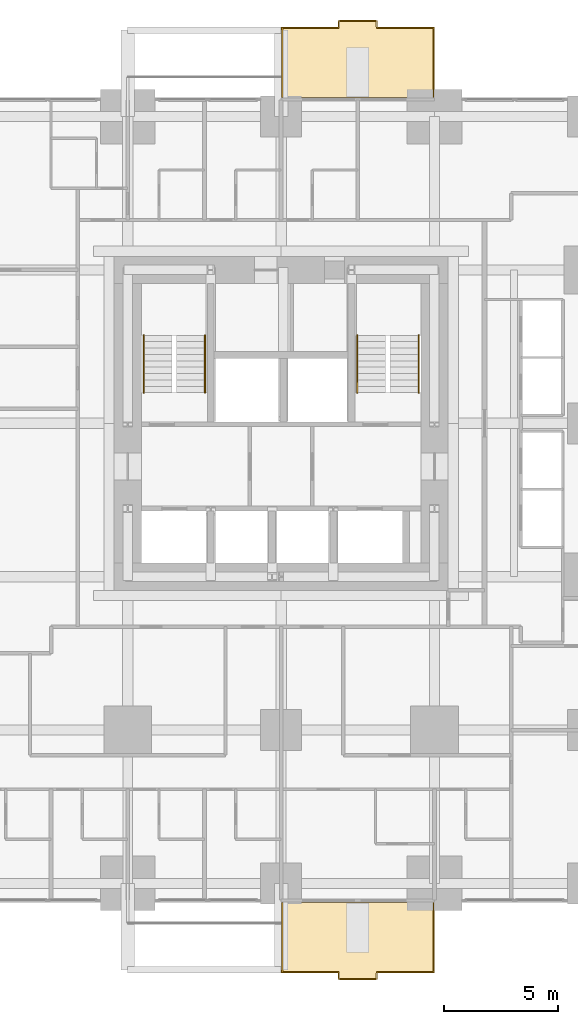
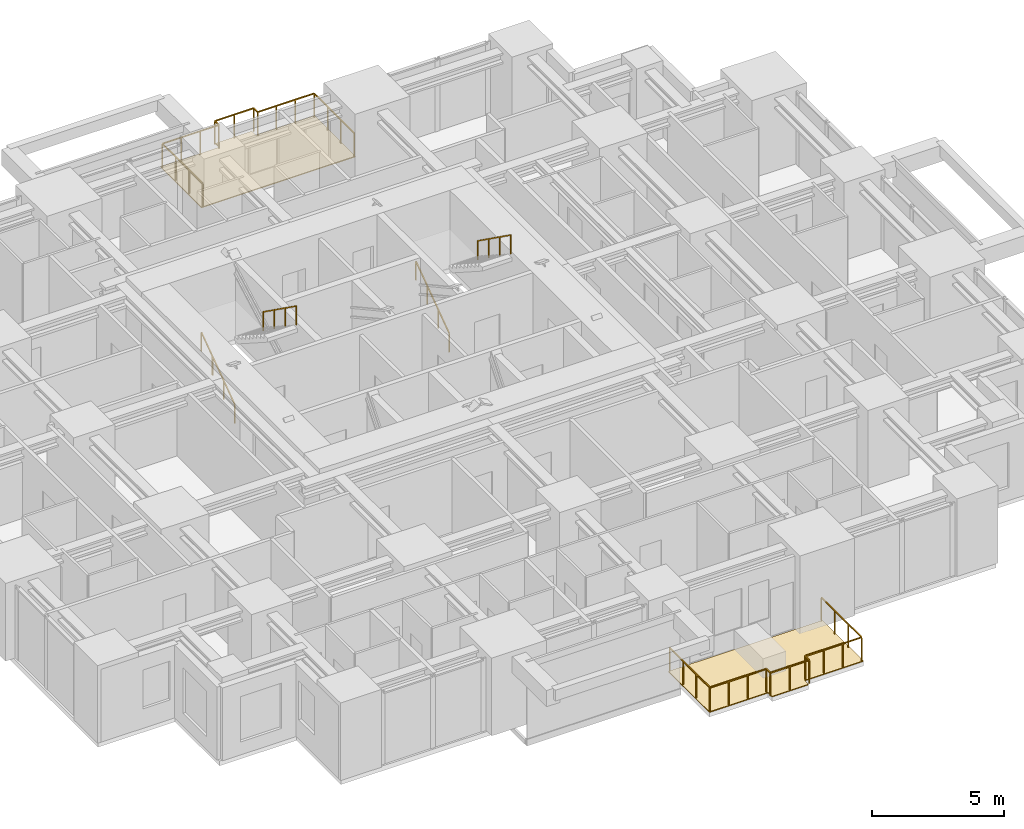
# One storey, part 13 of 13: 6 railings, 2 coverings.
"""IFC4 building model written with IfcOpenShell, lengths in metres."""

from ifc_helpers import new_model, si_unit, direction, frame, origin, origin_2d, place, context, subcontext, project, spatial, polyline, rectangle, outline, extrude, material, layer, layer_set, type_object, element, save


model = new_model("IFC4")

# Units and contexts
model_context = context("Model", 3, precision=1e-05, world=origin(), true_north=direction((0.0, 1.0)))
body_context = subcontext(model_context, "Body", "Model", "MODEL_VIEW")
ifc_project = project(units=[si_unit("LENGTHUNIT", "METRE"), si_unit("AREAUNIT", "SQUARE_METRE"), si_unit("VOLUMEUNIT", "CUBIC_METRE"), si_unit("PLANEANGLEUNIT", "RADIAN"), si_unit("MASSUNIT", "GRAM", prefix="KILO")], contexts=[model_context])

# Site, building, storey
site_placement = place(None, origin())
site = spatial("IfcSite", under=ifc_project, at=site_placement, CompositionType="ELEMENT")
building_placement = place(site_placement, origin())
building = spatial("IfcBuilding", under=site, at=building_placement, Name="Nyansa Garden Tower", CompositionType="ELEMENT")
storey_placement = place(building_placement, frame((0.0, 0.0, 83.699951171875)))
storey = spatial("IfcBuildingStorey", under=building, at=storey_placement, Name="L22", CompositionType="ELEMENT", Elevation=83.699951171875)

# Coverings
ifc_material_1 = material(Name="Hardwood decking on pedestals", Category="wood")
ifc_layer = layer(ifc_material_1, 0.0400390625)
ifc_layer_set = layer_set([ifc_layer], Name="Balcony decking DK40")
covering_type = type_object("IfcCoveringType", Name="Balcony decking DK40", PredefinedType="FLOORING", material=ifc_layer_set)
covering_1_placement = place(storey_placement, frame((0.0, 0.0, -0.0400390625)))
element("IfcCovering", 1, at=covering_1_placement, inside=storey, type_object=covering_type, Name="Balcony decking L22", PredefinedType="FLOORING", context=body_context, shape_type="SweptSolid", body=[
    extrude(outline(polyline([(20.25, -0.85009765625), (27.0, -0.85009765625), (27.0, -3.949951171875), (24.425048828125, -3.949951171875), (24.425048828125, -4.25), (22.824951171875, -4.25), (22.824951171875, -3.949951171875), (20.25, -3.949951171875), (20.25, -0.85009765625)])), origin(), (0.0, 0.0, 1.0), 0.0400390625),
])
covering_2_placement = place(storey_placement, frame((0.0, 0.0, -0.0400390625)))
element("IfcCovering", 2, at=covering_2_placement, inside=storey, type_object=covering_type, Name="Balcony decking L22", PredefinedType="FLOORING", context=body_context, shape_type="SweptSolid", body=[
    extrude(outline(polyline([(20.25, 34.60009765625), (27.0, 34.60009765625), (27.0, 37.699951171875), (24.425048828125, 37.699951171875), (24.425048828125, 38.0), (22.824951171875, 38.0), (22.824951171875, 37.699951171875), (20.25, 37.699951171875), (20.25, 34.60009765625)])), origin(), (0.0, 0.0, 1.0), 0.0400390625),
])

# Railings
ifc_material_2 = material(Name="Black powder-coated steel balusters, laminated glass infill", Category="steel")
railing_type_1 = type_object("IfcRailingType", Name="Balcony guard G1", PredefinedType="GUARDRAIL", material=ifc_material_2)
railing_1_placement = place(storey_placement, frame((20.300048828125, -0.85009765625, 0.0)))
element("IfcRailing", 3, at=railing_1_placement, inside=storey, type_object=railing_type_1, Name="Balcony guard L22", PredefinedType="GUARDRAIL", context=body_context, shape_type="SweptSolid", body=[
    extrude(rectangle(XDim=0.048095703125, YDim=0.048095703125, at=origin_2d()), frame((0.0, 0.0, 1.076171875), z_axis=(0.0, -1.0, 0.0), x_axis=(1.0, 0.0, 0.0)), (0.0, 0.0, 1.0), 3.0498046875),
    extrude(rectangle(XDim=0.048095703125, YDim=0.048095703125, at=origin_2d()), frame((0.0, -3.0498046875, 1.076171875), z_axis=(1.0, 0.0, 0.0), x_axis=(0.0, 1.0, 0.0)), (0.0, 0.0, 1.0), 2.474853515625),
    extrude(rectangle(XDim=0.048095703125, YDim=0.048095703125, at=origin_2d()), frame((2.474853515625, -3.0498046875, 1.076171875), z_axis=(0.0, -1.0, 0.0), x_axis=(1.0, 0.0, 0.0)), (0.0, 0.0, 1.0), 0.300048828125),
    extrude(rectangle(XDim=0.048095703125, YDim=0.048095703125, at=origin_2d()), frame((2.474853515625, -3.349853515625, 1.076171875), z_axis=(1.0, 0.0, 0.0), x_axis=(0.0, 1.0, 0.0)), (0.0, 0.0, 1.0), 1.7001953125),
    extrude(rectangle(XDim=0.048095703125, YDim=0.048095703125, at=origin_2d()), frame((4.175048828125, -3.349853515625, 1.076171875), z_axis=(0.0, 1.0, 0.0), x_axis=(-1.0, 0.0, 0.0)), (0.0, 0.0, 1.0), 0.300048828125),
    extrude(rectangle(XDim=0.048095703125, YDim=0.048095703125, at=origin_2d()), frame((4.175048828125, -3.0498046875, 1.076171875), z_axis=(1.0, 0.0, 0.0), x_axis=(0.0, 1.0, 0.0)), (0.0, 0.0, 1.0), 2.474853515625),
    extrude(rectangle(XDim=0.048095703125, YDim=0.048095703125, at=origin_2d()), frame((6.64990234375, -3.0498046875, 1.076171875), z_axis=(0.0, 1.0, 0.0), x_axis=(-1.0, 0.0, 0.0)), (0.0, 0.0, 1.0), 3.0498046875),
    extrude(rectangle(XDim=0.0419921875, YDim=0.0419921875, at=origin_2d()), origin(), (0.0, 0.0, 1.0), 1.052001953125),
    extrude(rectangle(XDim=0.0419921875, YDim=0.0419921875, at=origin_2d()), frame((0.0, -1.0166015625, 0.0)), (0.0, 0.0, 1.0), 1.052001953125),
    extrude(rectangle(XDim=0.0419921875, YDim=0.0419921875, at=origin_2d()), frame((0.0, -2.033203125, 0.0)), (0.0, 0.0, 1.0), 1.052001953125),
    extrude(rectangle(XDim=0.0419921875, YDim=0.0419921875, at=origin_2d()), frame((0.0, -3.0498046875, 0.0)), (0.0, 0.0, 1.0), 1.052001953125),
    extrude(rectangle(XDim=0.0419921875, YDim=0.0419921875, at=origin_2d()), frame((0.824951171875, -3.0498046875, 0.0)), (0.0, 0.0, 1.0), 1.052001953125),
    extrude(rectangle(XDim=0.0419921875, YDim=0.0419921875, at=origin_2d()), frame((1.64990234375, -3.0498046875, 0.0)), (0.0, 0.0, 1.0), 1.052001953125),
    extrude(rectangle(XDim=0.0419921875, YDim=0.0419921875, at=origin_2d()), frame((2.474853515625, -3.0498046875, 0.0)), (0.0, 0.0, 1.0), 1.052001953125),
    extrude(rectangle(XDim=0.0419921875, YDim=0.0419921875, at=origin_2d()), frame((2.474853515625, -3.349853515625, 0.0)), (0.0, 0.0, 1.0), 1.052001953125),
    extrude(rectangle(XDim=0.0419921875, YDim=0.0419921875, at=origin_2d()), frame((3.324951171875, -3.349853515625, 0.0)), (0.0, 0.0, 1.0), 1.052001953125),
    extrude(rectangle(XDim=0.0419921875, YDim=0.0419921875, at=origin_2d()), frame((4.175048828125, -3.349853515625, 0.0)), (0.0, 0.0, 1.0), 1.052001953125),
    extrude(rectangle(XDim=0.0419921875, YDim=0.0419921875, at=origin_2d()), frame((4.175048828125, -3.0498046875, 0.0)), (0.0, 0.0, 1.0), 1.052001953125),
    extrude(rectangle(XDim=0.0419921875, YDim=0.0419921875, at=origin_2d()), frame((5.0, -3.0498046875, 0.0)), (0.0, 0.0, 1.0), 1.052001953125),
    extrude(rectangle(XDim=0.0419921875, YDim=0.0419921875, at=origin_2d()), frame((5.824951171875, -3.0498046875, 0.0)), (0.0, 0.0, 1.0), 1.052001953125),
    extrude(rectangle(XDim=0.0419921875, YDim=0.0419921875, at=origin_2d()), frame((6.64990234375, -3.0498046875, 0.0)), (0.0, 0.0, 1.0), 1.052001953125),
    extrude(rectangle(XDim=0.0419921875, YDim=0.0419921875, at=origin_2d()), frame((6.64990234375, -2.033203125, 0.0)), (0.0, 0.0, 1.0), 1.052001953125),
    extrude(rectangle(XDim=0.0419921875, YDim=0.0419921875, at=origin_2d()), frame((6.64990234375, -1.0166015625, 0.0)), (0.0, 0.0, 1.0), 1.052001953125),
    extrude(rectangle(XDim=0.0419921875, YDim=0.0419921875, at=origin_2d()), frame((6.64990234375, 0.0, 0.0)), (0.0, 0.0, 1.0), 1.052001953125),
])
railing_2_placement = place(storey_placement, frame((20.300048828125, 34.60009765625, 0.0)))
element("IfcRailing", 4, at=railing_2_placement, inside=storey, type_object=railing_type_1, Name="Balcony guard L22", PredefinedType="GUARDRAIL", context=body_context, shape_type="SweptSolid", body=[
    extrude(rectangle(XDim=0.048095703125, YDim=0.048095703125, at=origin_2d()), frame((0.0, 0.0, 1.076171875), z_axis=(0.0, 1.0, 0.0), x_axis=(-1.0, 0.0, 0.0)), (0.0, 0.0, 1.0), 3.0498046875),
    extrude(rectangle(XDim=0.048095703125, YDim=0.048095703125, at=origin_2d()), frame((0.0, 3.0498046875, 1.076171875), z_axis=(1.0, 0.0, 0.0), x_axis=(0.0, 1.0, 0.0)), (0.0, 0.0, 1.0), 2.474853515625),
    extrude(rectangle(XDim=0.048095703125, YDim=0.048095703125, at=origin_2d()), frame((2.474853515625, 3.0498046875, 1.076171875), z_axis=(0.0, 1.0, 0.0), x_axis=(-1.0, 0.0, 0.0)), (0.0, 0.0, 1.0), 0.300048828125),
    extrude(rectangle(XDim=0.048095703125, YDim=0.048095703125, at=origin_2d()), frame((2.474853515625, 3.349853515625, 1.076171875), z_axis=(1.0, 0.0, 0.0), x_axis=(0.0, 1.0, 0.0)), (0.0, 0.0, 1.0), 1.7001953125),
    extrude(rectangle(XDim=0.048095703125, YDim=0.048095703125, at=origin_2d()), frame((4.175048828125, 3.349853515625, 1.076171875), z_axis=(0.0, -1.0, 0.0), x_axis=(1.0, 0.0, 0.0)), (0.0, 0.0, 1.0), 0.300048828125),
    extrude(rectangle(XDim=0.048095703125, YDim=0.048095703125, at=origin_2d()), frame((4.175048828125, 3.0498046875, 1.076171875), z_axis=(1.0, 0.0, 0.0), x_axis=(0.0, 1.0, 0.0)), (0.0, 0.0, 1.0), 2.474853515625),
    extrude(rectangle(XDim=0.048095703125, YDim=0.048095703125, at=origin_2d()), frame((6.64990234375, 3.0498046875, 1.076171875), z_axis=(0.0, -1.0, 0.0), x_axis=(1.0, 0.0, 0.0)), (0.0, 0.0, 1.0), 3.0498046875),
    extrude(rectangle(XDim=0.0419921875, YDim=0.0419921875, at=origin_2d()), origin(), (0.0, 0.0, 1.0), 1.052001953125),
    extrude(rectangle(XDim=0.0419921875, YDim=0.0419921875, at=origin_2d()), frame((0.0, 1.0166015625, 0.0)), (0.0, 0.0, 1.0), 1.052001953125),
    extrude(rectangle(XDim=0.0419921875, YDim=0.0419921875, at=origin_2d()), frame((0.0, 2.033203125, 0.0)), (0.0, 0.0, 1.0), 1.052001953125),
    extrude(rectangle(XDim=0.0419921875, YDim=0.0419921875, at=origin_2d()), frame((0.0, 3.0498046875, 0.0)), (0.0, 0.0, 1.0), 1.052001953125),
    extrude(rectangle(XDim=0.0419921875, YDim=0.0419921875, at=origin_2d()), frame((0.824951171875, 3.0498046875, 0.0)), (0.0, 0.0, 1.0), 1.052001953125),
    extrude(rectangle(XDim=0.0419921875, YDim=0.0419921875, at=origin_2d()), frame((1.64990234375, 3.0498046875, 0.0)), (0.0, 0.0, 1.0), 1.052001953125),
    extrude(rectangle(XDim=0.0419921875, YDim=0.0419921875, at=origin_2d()), frame((2.474853515625, 3.0498046875, 0.0)), (0.0, 0.0, 1.0), 1.052001953125),
    extrude(rectangle(XDim=0.0419921875, YDim=0.0419921875, at=origin_2d()), frame((2.474853515625, 3.349853515625, 0.0)), (0.0, 0.0, 1.0), 1.052001953125),
    extrude(rectangle(XDim=0.0419921875, YDim=0.0419921875, at=origin_2d()), frame((3.324951171875, 3.349853515625, 0.0)), (0.0, 0.0, 1.0), 1.052001953125),
    extrude(rectangle(XDim=0.0419921875, YDim=0.0419921875, at=origin_2d()), frame((4.175048828125, 3.349853515625, 0.0)), (0.0, 0.0, 1.0), 1.052001953125),
    extrude(rectangle(XDim=0.0419921875, YDim=0.0419921875, at=origin_2d()), frame((4.175048828125, 3.0498046875, 0.0)), (0.0, 0.0, 1.0), 1.052001953125),
    extrude(rectangle(XDim=0.0419921875, YDim=0.0419921875, at=origin_2d()), frame((5.0, 3.0498046875, 0.0)), (0.0, 0.0, 1.0), 1.052001953125),
    extrude(rectangle(XDim=0.0419921875, YDim=0.0419921875, at=origin_2d()), frame((5.824951171875, 3.0498046875, 0.0)), (0.0, 0.0, 1.0), 1.052001953125),
    extrude(rectangle(XDim=0.0419921875, YDim=0.0419921875, at=origin_2d()), frame((6.64990234375, 3.0498046875, 0.0)), (0.0, 0.0, 1.0), 1.052001953125),
    extrude(rectangle(XDim=0.0419921875, YDim=0.0419921875, at=origin_2d()), frame((6.64990234375, 2.033203125, 0.0)), (0.0, 0.0, 1.0), 1.052001953125),
    extrude(rectangle(XDim=0.0419921875, YDim=0.0419921875, at=origin_2d()), frame((6.64990234375, 1.0166015625, 0.0)), (0.0, 0.0, 1.0), 1.052001953125),
    extrude(rectangle(XDim=0.0419921875, YDim=0.0419921875, at=origin_2d()), frame((6.64990234375, 0.0, 0.0)), (0.0, 0.0, 1.0), 1.052001953125),
])
ifc_material_3 = material(Name="Black powder-coated steel tube 48 mm", Category="steel")
railing_type_2 = type_object("IfcRailingType", Name="Stair handrail HR1", PredefinedType="HANDRAIL", material=ifc_material_3)
railing_3_placement = place(storey_placement, frame((14.199951171875, 21.60009765625, 0.0)))
element("IfcRailing", 5, at=railing_3_placement, inside=storey, type_object=railing_type_2, Name="Stair S1 handrail L22", PredefinedType="HANDRAIL", context=body_context, shape_type="SweptSolid", body=[
    extrude(rectangle(XDim=0.048095703125, YDim=0.048095703125, at=origin_2d()), frame((0.0, 0.0, 0.8759765625), z_axis=(0.0, 0.813728144527, 0.581245650998), x_axis=(-1.0, 0.0, 0.0)), (0.0, 0.0, 1.0), 3.096923828125),
    extrude(rectangle(XDim=0.0419921875, YDim=0.0419921875, at=origin_2d()), origin(), (0.0, 0.0, 1.0), 0.851806640625),
    extrude(rectangle(XDim=0.0419921875, YDim=0.0419921875, at=origin_2d()), frame((0.0, 0.840087890625, 0.60009765625)), (0.0, 0.0, 1.0), 0.851806640625),
    extrude(rectangle(XDim=0.0419921875, YDim=0.0419921875, at=origin_2d()), frame((0.0, 1.679931640625, 1.199951171875)), (0.0, 0.0, 1.0), 0.851806640625),
    extrude(rectangle(XDim=0.0419921875, YDim=0.0419921875, at=origin_2d()), frame((0.0, 2.52001953125, 1.800048828125)), (0.0, 0.0, 1.0), 0.851806640625),
])
railing_4_placement = place(storey_placement, frame((16.89990234375, 24.1201171875, 1.800048828125)))
element("IfcRailing", 6, at=railing_4_placement, inside=storey, type_object=railing_type_2, Name="Stair S1 handrail L22", PredefinedType="HANDRAIL", context=body_context, shape_type="SweptSolid", body=[
    extrude(rectangle(XDim=0.048095703125, YDim=0.048095703125, at=origin_2d()), frame((0.0, 0.0, 0.8759765625), z_axis=(0.0, -0.813728144527, 0.581245650998), x_axis=(1.0, 0.0, 0.0)), (0.0, 0.0, 1.0), 3.096923828125),
    extrude(rectangle(XDim=0.0419921875, YDim=0.0419921875, at=origin_2d()), origin(), (0.0, 0.0, 1.0), 0.851806640625),
    extrude(rectangle(XDim=0.0419921875, YDim=0.0419921875, at=origin_2d()), frame((0.0, -0.840087890625, 0.60009765625)), (0.0, 0.0, 1.0), 0.851806640625),
    extrude(rectangle(XDim=0.0419921875, YDim=0.0419921875, at=origin_2d()), frame((0.0, -1.679931640625, 1.199951171875)), (0.0, 0.0, 1.0), 0.851806640625),
    extrude(rectangle(XDim=0.0419921875, YDim=0.0419921875, at=origin_2d()), frame((0.0, -2.52001953125, 1.800048828125)), (0.0, 0.0, 1.0), 0.851806640625),
])
railing_5_placement = place(storey_placement, frame((23.60009765625, 21.60009765625, 0.0)))
element("IfcRailing", 7, at=railing_5_placement, inside=storey, type_object=railing_type_2, Name="Stair S2 handrail L22", PredefinedType="HANDRAIL", context=body_context, shape_type="SweptSolid", body=[
    extrude(rectangle(XDim=0.048095703125, YDim=0.048095703125, at=origin_2d()), frame((0.0, 0.0, 0.8759765625), z_axis=(0.0, 0.813728144527, 0.581245650998), x_axis=(-1.0, 0.0, 0.0)), (0.0, 0.0, 1.0), 3.096923828125),
    extrude(rectangle(XDim=0.0419921875, YDim=0.0419921875, at=origin_2d()), origin(), (0.0, 0.0, 1.0), 0.851806640625),
    extrude(rectangle(XDim=0.0419921875, YDim=0.0419921875, at=origin_2d()), frame((0.0, 0.840087890625, 0.60009765625)), (0.0, 0.0, 1.0), 0.851806640625),
    extrude(rectangle(XDim=0.0419921875, YDim=0.0419921875, at=origin_2d()), frame((0.0, 1.679931640625, 1.199951171875)), (0.0, 0.0, 1.0), 0.851806640625),
    extrude(rectangle(XDim=0.0419921875, YDim=0.0419921875, at=origin_2d()), frame((0.0, 2.52001953125, 1.800048828125)), (0.0, 0.0, 1.0), 0.851806640625),
])
railing_6_placement = place(storey_placement, frame((26.300048828125, 24.1201171875, 1.800048828125)))
element("IfcRailing", 8, at=railing_6_placement, inside=storey, type_object=railing_type_2, Name="Stair S2 handrail L22", PredefinedType="HANDRAIL", context=body_context, shape_type="SweptSolid", body=[
    extrude(rectangle(XDim=0.048095703125, YDim=0.048095703125, at=origin_2d()), frame((0.0, 0.0, 0.8759765625), z_axis=(0.0, -0.813728144527, 0.581245650998), x_axis=(1.0, 0.0, 0.0)), (0.0, 0.0, 1.0), 3.096923828125),
    extrude(rectangle(XDim=0.0419921875, YDim=0.0419921875, at=origin_2d()), origin(), (0.0, 0.0, 1.0), 0.851806640625),
    extrude(rectangle(XDim=0.0419921875, YDim=0.0419921875, at=origin_2d()), frame((0.0, -0.840087890625, 0.60009765625)), (0.0, 0.0, 1.0), 0.851806640625),
    extrude(rectangle(XDim=0.0419921875, YDim=0.0419921875, at=origin_2d()), frame((0.0, -1.679931640625, 1.199951171875)), (0.0, 0.0, 1.0), 0.851806640625),
    extrude(rectangle(XDim=0.0419921875, YDim=0.0419921875, at=origin_2d()), frame((0.0, -2.52001953125, 1.800048828125)), (0.0, 0.0, 1.0), 0.851806640625),
])

save(model, "model.ifc")
